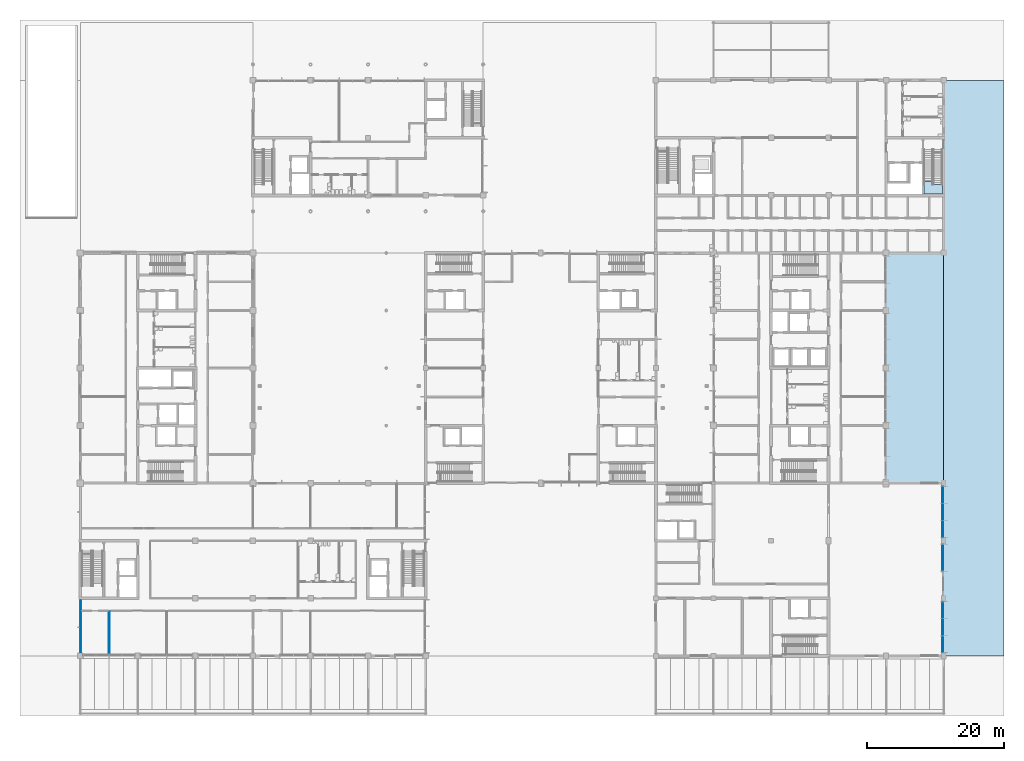
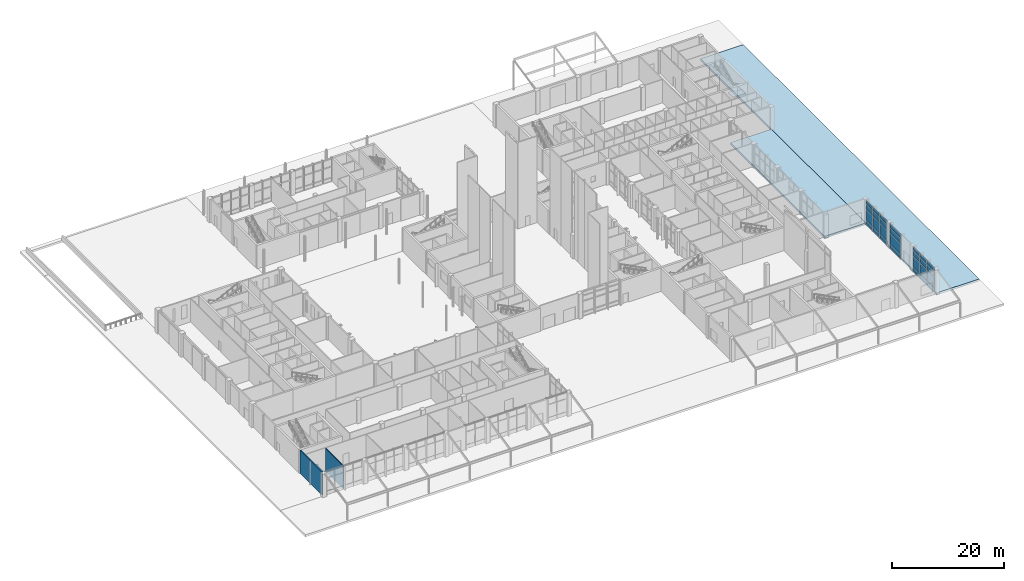
# One storey, part 31 of 76: 28 plates, 3 slabs, 2 walls, 4 elements without a shape of their own.
"""IFC4 building model written with IfcOpenShell, lengths in metres."""

from ifc_helpers import new_model, si_unit, direction, frame, frame_2d, origin, origin_2d, place, context, subcontext, project, spatial, polyline, rectangle, outline, extrude, material, layer, layer_set, type_object, element, aggregate, save


model = new_model("IFC4")

# Units and contexts
model_context = context("Model", 3, precision=1e-05, world=origin(), true_north=direction((0.0, 1.0)))
body_context = subcontext(model_context, "Body", "Model", "MODEL_VIEW")
ifc_project = project(units=[si_unit("LENGTHUNIT", "METRE"), si_unit("AREAUNIT", "SQUARE_METRE"), si_unit("VOLUMEUNIT", "CUBIC_METRE"), si_unit("PLANEANGLEUNIT", "RADIAN"), si_unit("MASSUNIT", "GRAM", prefix="KILO")], contexts=[model_context])

# Site, building, storey
site_placement = place(None, origin())
site = spatial("IfcSite", under=ifc_project, at=site_placement, CompositionType="ELEMENT")
building_placement = place(site_placement, origin())
building = spatial("IfcBuilding", under=site, at=building_placement, Name="Hlaing Beacon Police Headquarters", CompositionType="ELEMENT")
storey_placement = place(building_placement, origin())
storey = spatial("IfcBuildingStorey", under=building, at=storey_placement, Name="L00", CompositionType="ELEMENT", Elevation=0.0)

# Slabs
ifc_material_1 = material(Name="Concrete C50/60", Category="concrete")
ifc_layer_1 = layer(ifc_material_1, 0.449951171875)
ifc_layer_set_1 = layer_set([ifc_layer_1], Name="Concrete C50/60")
slab_type_1 = type_object("IfcSlabType", Name="Deck slab 450", PredefinedType="FLOOR", material=ifc_layer_set_1)
slab_1_placement = place(storey_placement, frame((0.0, 0.0, -0.449951171875)))
element("IfcSlab", 1, at=slab_1_placement, inside=storey, type_object=slab_type_1, Name="STR-SLAB-L00-09", PredefinedType="FLOOR", context=body_context, shape_type="SweptSolid", body=[
    extrude(outline(polyline([(126.0, 33.60009765625), (134.39990234375, 33.60009765625), (134.39990234375, 67.199951171875), (126.0, 67.199951171875), (126.0, 33.60009765625)])), origin(), (0.0, 0.0, 1.0), 0.449951171875),
])
slab_2_placement = place(storey_placement, frame((0.0, 0.0, -0.449951171875)))
element("IfcSlab", 2, at=slab_2_placement, inside=storey, type_object=slab_type_1, Name="STR-SLAB-L00-14", PredefinedType="FLOOR", context=body_context, shape_type="SweptSolid", body=[
    extrude(outline(polyline([(134.39990234375, 8.39990234375), (143.199951171875, 8.39990234375), (143.199951171875, 92.39990234375), (134.39990234375, 92.39990234375), (134.39990234375, 8.39990234375)])), origin(), (0.0, 0.0, 1.0), 0.449951171875),
])

# Curtain wall, plates
ifc_material_2 = material(Name="Aluminium frame with solar control glazing", Category="aluminium")
curtain_wall_type_1 = type_object("IfcCurtainWallType", Name="Structural glazed gable wall 7.50 x 5.40", PredefinedType="NOTDEFINED", material=ifc_material_2)
curtain_wall_1_placement = place(storey_placement, origin())
curtain_wall_1 = element("IfcCurtainWall", 3, at=curtain_wall_1_placement, inside=storey, type_object=curtain_wall_type_1, Name="ENV-CW-L00-E009", PredefinedType="NOTDEFINED")
ifc_material_3 = material(Name="Insulated aluminium spandrel", Category="aluminium")
ifc_layer_2 = layer(ifc_material_3, 0.10009765625)
ifc_layer_set_2 = layer_set([ifc_layer_2], Name="Insulated aluminium spandrel")
plate_type_1 = type_object("IfcPlateType", Name="Insulated spandrel panel 100", PredefinedType="CURTAIN_PANEL", material=ifc_layer_set_2)
plate_1_placement = place(storey_placement, frame((134.25, 10.125, 0.10009765625), z_axis=(0.0, 0.0, 1.0), x_axis=(0.0, 1.0, 0.0)))
plate_1 = element("IfcPlate", 4, at=plate_1_placement, type_object=plate_type_1, Name="CW-L00-E009 panel 1.1", PredefinedType="CURTAIN_PANEL", context=body_context, shape_type="SweptSolid", body=[
    extrude(rectangle(XDim=2.35009765625, YDim=0.10009765625, at=origin_2d()), origin(), (0.0, 0.0, 1.0), 0.75),
])
plate_2_placement = place(storey_placement, frame((134.25, 12.60009765625, 0.10009765625), z_axis=(0.0, 0.0, 1.0), x_axis=(0.0, 1.0, 0.0)))
plate_2 = element("IfcPlate", 5, at=plate_2_placement, type_object=plate_type_1, Name="CW-L00-E009 panel 2.1", PredefinedType="CURTAIN_PANEL", context=body_context, shape_type="SweptSolid", body=[
    extrude(rectangle(XDim=2.39990234375, YDim=0.10009765625, at=origin_2d()), origin(), (0.0, 0.0, 1.0), 0.75),
])
plate_3_placement = place(storey_placement, frame((134.25, 15.074951171875, 0.10009765625), z_axis=(0.0, 0.0, 1.0), x_axis=(0.0, 1.0, 0.0)))
plate_3 = element("IfcPlate", 6, at=plate_3_placement, type_object=plate_type_1, Name="CW-L00-E009 panel 3.1", PredefinedType="CURTAIN_PANEL", context=body_context, shape_type="SweptSolid", body=[
    extrude(rectangle(XDim=2.35009765625, YDim=0.10009765625, at=origin_2d()), origin(), (0.0, 0.0, 1.0), 0.75),
])

# Curtain wall, plate
ifc_material_4 = material(Name="Aluminium frame with solar control glazing", Category="aluminium")
curtain_wall_type_2 = type_object("IfcCurtainWallType", Name="Structural glazed gable wall 4.05 x 5.40", PredefinedType="NOTDEFINED", material=ifc_material_4)
curtain_wall_2_placement = place(storey_placement, origin())
curtain_wall_2 = element("IfcCurtainWall", 7, at=curtain_wall_2_placement, inside=storey, type_object=curtain_wall_type_2, Name="ENV-CW-L00-E010", PredefinedType="NOTDEFINED")
plate_4_placement = place(storey_placement, frame((134.25, 22.72509765625, 0.10009765625), z_axis=(0.0, 0.0, 1.0), x_axis=(0.0, 1.0, 0.0)))
plate_4 = element("IfcPlate", 8, at=plate_4_placement, type_object=plate_type_1, Name="CW-L00-E010 panel 1.1", PredefinedType="CURTAIN_PANEL", context=body_context, shape_type="SweptSolid", body=[
    extrude(rectangle(XDim=3.85009765625, YDim=0.10009765625, at=origin_2d()), origin(), (0.0, 0.0, 1.0), 0.75),
])

# Curtain wall, plates
curtain_wall_3_placement = place(storey_placement, origin())
curtain_wall_3 = element("IfcCurtainWall", 9, at=curtain_wall_3_placement, inside=storey, type_object=curtain_wall_type_1, Name="ENV-CW-L00-E011", PredefinedType="NOTDEFINED")
plate_5_placement = place(storey_placement, frame((134.25, 26.925048828125, 0.10009765625), z_axis=(0.0, 0.0, 1.0), x_axis=(0.0, 1.0, 0.0)))
plate_5 = element("IfcPlate", 10, at=plate_5_placement, type_object=plate_type_1, Name="CW-L00-E011 panel 1.1", PredefinedType="CURTAIN_PANEL", context=body_context, shape_type="SweptSolid", body=[
    extrude(rectangle(XDim=2.35009765625, YDim=0.10009765625, at=origin_2d()), origin(), (0.0, 0.0, 1.0), 0.75),
])
plate_6_placement = place(storey_placement, frame((134.25, 29.39990234375, 0.10009765625), z_axis=(0.0, 0.0, 1.0), x_axis=(0.0, 1.0, 0.0)))
plate_6 = element("IfcPlate", 11, at=plate_6_placement, type_object=plate_type_1, Name="CW-L00-E011 panel 2.1", PredefinedType="CURTAIN_PANEL", context=body_context, shape_type="SweptSolid", body=[
    extrude(rectangle(XDim=2.39990234375, YDim=0.10009765625, at=origin_2d()), origin(), (0.0, 0.0, 1.0), 0.75),
])
plate_7_placement = place(storey_placement, frame((134.25, 31.875, 0.10009765625), z_axis=(0.0, 0.0, 1.0), x_axis=(0.0, 1.0, 0.0)))
plate_7 = element("IfcPlate", 12, at=plate_7_placement, type_object=plate_type_1, Name="CW-L00-E011 panel 3.1", PredefinedType="CURTAIN_PANEL", context=body_context, shape_type="SweptSolid", body=[
    extrude(rectangle(XDim=2.35009765625, YDim=0.10009765625, at=origin_2d()), origin(), (0.0, 0.0, 1.0), 0.75),
])

# Plate
ifc_material_5 = material(Name="Laminated solar control glazing", Category="glass")
ifc_layer_3 = layer(ifc_material_5, 0.02392578125)
ifc_layer_set_3 = layer_set([ifc_layer_3], Name="Laminated solar control glazing")
plate_type_2 = type_object("IfcPlateType", Name="Laminated glazing panel 24", PredefinedType="CURTAIN_PANEL", material=ifc_layer_set_3)
plate_8_placement = place(storey_placement, frame((134.25, 10.125, 4.550048828125), z_axis=(0.0, 0.0, 1.0), x_axis=(0.0, 1.0, 0.0)))
plate_8 = element("IfcPlate", 13, at=plate_8_placement, type_object=plate_type_2, Name="CW-L00-E009 panel 1.4", PredefinedType="CURTAIN_PANEL", context=body_context, shape_type="SweptSolid", body=[
    extrude(rectangle(XDim=2.35009765625, YDim=0.02392578125, at=origin_2d()), origin(), (0.0, 0.0, 1.0), 0.75),
])

plate_9_placement = place(storey_placement, frame((134.25, 12.60009765625, 4.550048828125), z_axis=(0.0, 0.0, 1.0), x_axis=(0.0, 1.0, 0.0)))
plate_9 = element("IfcPlate", 14, at=plate_9_placement, type_object=plate_type_2, Name="CW-L00-E009 panel 2.4", PredefinedType="CURTAIN_PANEL", context=body_context, shape_type="SweptSolid", body=[
    extrude(rectangle(XDim=2.39990234375, YDim=0.02392578125, at=origin_2d()), origin(), (0.0, 0.0, 1.0), 0.75),
])

plate_10_placement = place(storey_placement, frame((134.25, 15.074951171875, 4.550048828125), z_axis=(0.0, 0.0, 1.0), x_axis=(0.0, 1.0, 0.0)))
plate_10 = element("IfcPlate", 15, at=plate_10_placement, type_object=plate_type_2, Name="CW-L00-E009 panel 3.4", PredefinedType="CURTAIN_PANEL", context=body_context, shape_type="SweptSolid", body=[
    extrude(rectangle(XDim=2.35009765625, YDim=0.02392578125, at=origin_2d()), origin(), (0.0, 0.0, 1.0), 0.75),
])

plate_11_placement = place(storey_placement, frame((134.25, 26.925048828125, 4.550048828125), z_axis=(0.0, 0.0, 1.0), x_axis=(0.0, 1.0, 0.0)))
plate_11 = element("IfcPlate", 16, at=plate_11_placement, type_object=plate_type_2, Name="CW-L00-E011 panel 1.4", PredefinedType="CURTAIN_PANEL", context=body_context, shape_type="SweptSolid", body=[
    extrude(rectangle(XDim=2.35009765625, YDim=0.02392578125, at=origin_2d()), origin(), (0.0, 0.0, 1.0), 0.75),
])

plate_12_placement = place(storey_placement, frame((134.25, 29.39990234375, 4.550048828125), z_axis=(0.0, 0.0, 1.0), x_axis=(0.0, 1.0, 0.0)))
plate_12 = element("IfcPlate", 17, at=plate_12_placement, type_object=plate_type_2, Name="CW-L00-E011 panel 2.4", PredefinedType="CURTAIN_PANEL", context=body_context, shape_type="SweptSolid", body=[
    extrude(rectangle(XDim=2.39990234375, YDim=0.02392578125, at=origin_2d()), origin(), (0.0, 0.0, 1.0), 0.75),
])

plate_13_placement = place(storey_placement, frame((134.25, 31.875, 4.550048828125), z_axis=(0.0, 0.0, 1.0), x_axis=(0.0, 1.0, 0.0)))
plate_13 = element("IfcPlate", 18, at=plate_13_placement, type_object=plate_type_2, Name="CW-L00-E011 panel 3.4", PredefinedType="CURTAIN_PANEL", context=body_context, shape_type="SweptSolid", body=[
    extrude(rectangle(XDim=2.35009765625, YDim=0.02392578125, at=origin_2d()), origin(), (0.0, 0.0, 1.0), 0.75),
])

ifc_material_6 = material(Name="Laminated solar control glazing", Category="glass")
ifc_layer_4 = layer(ifc_material_6, 0.031982421875)
ifc_layer_set_4 = layer_set([ifc_layer_4], Name="Laminated solar control glazing")
plate_type_3 = type_object("IfcPlateType", Name="Laminated glazing panel 32", PredefinedType="CURTAIN_PANEL", material=ifc_layer_set_4)
plate_14_placement = place(storey_placement, frame((134.25, 10.125, 3.349853515625), z_axis=(0.0, 0.0, 1.0), x_axis=(0.0, 1.0, 0.0)))
plate_14 = element("IfcPlate", 19, at=plate_14_placement, type_object=plate_type_3, Name="CW-L00-E009 panel 1.3", PredefinedType="CURTAIN_PANEL", context=body_context, shape_type="SweptSolid", body=[
    extrude(rectangle(XDim=2.35009765625, YDim=0.031982421875, at=origin_2d()), origin(), (0.0, 0.0, 1.0), 1.10009765625),
])

plate_15_placement = place(storey_placement, frame((134.25, 12.60009765625, 3.349853515625), z_axis=(0.0, 0.0, 1.0), x_axis=(0.0, 1.0, 0.0)))
plate_15 = element("IfcPlate", 20, at=plate_15_placement, type_object=plate_type_3, Name="CW-L00-E009 panel 2.3", PredefinedType="CURTAIN_PANEL", context=body_context, shape_type="SweptSolid", body=[
    extrude(rectangle(XDim=2.39990234375, YDim=0.031982421875, at=origin_2d()), origin(), (0.0, 0.0, 1.0), 1.10009765625),
])

plate_16_placement = place(storey_placement, frame((134.25, 15.074951171875, 3.349853515625), z_axis=(0.0, 0.0, 1.0), x_axis=(0.0, 1.0, 0.0)))
plate_16 = element("IfcPlate", 21, at=plate_16_placement, type_object=plate_type_3, Name="CW-L00-E009 panel 3.3", PredefinedType="CURTAIN_PANEL", context=body_context, shape_type="SweptSolid", body=[
    extrude(rectangle(XDim=2.35009765625, YDim=0.031982421875, at=origin_2d()), origin(), (0.0, 0.0, 1.0), 1.10009765625),
])

plate_17_placement = place(storey_placement, frame((134.25, 22.72509765625, 4.550048828125), z_axis=(0.0, 0.0, 1.0), x_axis=(0.0, 1.0, 0.0)))
plate_17 = element("IfcPlate", 22, at=plate_17_placement, type_object=plate_type_3, Name="CW-L00-E010 panel 1.4", PredefinedType="CURTAIN_PANEL", context=body_context, shape_type="SweptSolid", body=[
    extrude(rectangle(XDim=3.85009765625, YDim=0.031982421875, at=origin_2d()), origin(), (0.0, 0.0, 1.0), 0.75),
])

plate_18_placement = place(storey_placement, frame((134.25, 26.925048828125, 3.349853515625), z_axis=(0.0, 0.0, 1.0), x_axis=(0.0, 1.0, 0.0)))
plate_18 = element("IfcPlate", 23, at=plate_18_placement, type_object=plate_type_3, Name="CW-L00-E011 panel 1.3", PredefinedType="CURTAIN_PANEL", context=body_context, shape_type="SweptSolid", body=[
    extrude(rectangle(XDim=2.35009765625, YDim=0.031982421875, at=origin_2d()), origin(), (0.0, 0.0, 1.0), 1.10009765625),
])

plate_19_placement = place(storey_placement, frame((134.25, 29.39990234375, 3.349853515625), z_axis=(0.0, 0.0, 1.0), x_axis=(0.0, 1.0, 0.0)))
plate_19 = element("IfcPlate", 24, at=plate_19_placement, type_object=plate_type_3, Name="CW-L00-E011 panel 2.3", PredefinedType="CURTAIN_PANEL", context=body_context, shape_type="SweptSolid", body=[
    extrude(rectangle(XDim=2.39990234375, YDim=0.031982421875, at=origin_2d()), origin(), (0.0, 0.0, 1.0), 1.10009765625),
])

plate_20_placement = place(storey_placement, frame((134.25, 31.875, 3.349853515625), z_axis=(0.0, 0.0, 1.0), x_axis=(0.0, 1.0, 0.0)))
plate_20 = element("IfcPlate", 25, at=plate_20_placement, type_object=plate_type_3, Name="CW-L00-E011 panel 3.3", PredefinedType="CURTAIN_PANEL", context=body_context, shape_type="SweptSolid", body=[
    extrude(rectangle(XDim=2.35009765625, YDim=0.031982421875, at=origin_2d()), origin(), (0.0, 0.0, 1.0), 1.10009765625),
])

ifc_material_7 = material(Name="Laminated solar control glazing", Category="glass")
ifc_layer_5 = layer(ifc_material_7, 0.0439453125)
ifc_layer_set_5 = layer_set([ifc_layer_5], Name="Laminated solar control glazing")
plate_type_4 = type_object("IfcPlateType", Name="Laminated glazing panel 44", PredefinedType="CURTAIN_PANEL", material=ifc_layer_set_5)
plate_21_placement = place(storey_placement, frame((134.25, 10.125, 0.9501953125), z_axis=(0.0, 0.0, 1.0), x_axis=(0.0, 1.0, 0.0)))
plate_21 = element("IfcPlate", 26, at=plate_21_placement, type_object=plate_type_4, Name="CW-L00-E009 panel 1.2", PredefinedType="CURTAIN_PANEL", context=body_context, shape_type="SweptSolid", body=[
    extrude(rectangle(XDim=2.35009765625, YDim=0.0439453125, at=origin_2d()), origin(), (0.0, 0.0, 1.0), 2.300048828125),
])

plate_22_placement = place(storey_placement, frame((134.25, 12.60009765625, 0.9501953125), z_axis=(0.0, 0.0, 1.0), x_axis=(0.0, 1.0, 0.0)))
plate_22 = element("IfcPlate", 27, at=plate_22_placement, type_object=plate_type_4, Name="CW-L00-E009 panel 2.2", PredefinedType="CURTAIN_PANEL", context=body_context, shape_type="SweptSolid", body=[
    extrude(rectangle(XDim=2.39990234375, YDim=0.0439453125, at=origin_2d()), origin(), (0.0, 0.0, 1.0), 2.300048828125),
])

plate_23_placement = place(storey_placement, frame((134.25, 15.074951171875, 0.9501953125), z_axis=(0.0, 0.0, 1.0), x_axis=(0.0, 1.0, 0.0)))
plate_23 = element("IfcPlate", 28, at=plate_23_placement, type_object=plate_type_4, Name="CW-L00-E009 panel 3.2", PredefinedType="CURTAIN_PANEL", context=body_context, shape_type="SweptSolid", body=[
    extrude(rectangle(XDim=2.35009765625, YDim=0.0439453125, at=origin_2d()), origin(), (0.0, 0.0, 1.0), 2.300048828125),
])

aggregate(curtain_wall_1, [plate_1, plate_21, plate_14, plate_8, plate_2, plate_22, plate_15, plate_9, plate_3, plate_23, plate_16, plate_10])

plate_24_placement = place(storey_placement, frame((134.25, 22.72509765625, 3.349853515625), z_axis=(0.0, 0.0, 1.0), x_axis=(0.0, 1.0, 0.0)))
plate_24 = element("IfcPlate", 29, at=plate_24_placement, type_object=plate_type_4, Name="CW-L00-E010 panel 1.3", PredefinedType="CURTAIN_PANEL", context=body_context, shape_type="SweptSolid", body=[
    extrude(rectangle(XDim=3.85009765625, YDim=0.0439453125, at=origin_2d()), origin(), (0.0, 0.0, 1.0), 1.10009765625),
])

plate_25_placement = place(storey_placement, frame((134.25, 26.925048828125, 0.9501953125), z_axis=(0.0, 0.0, 1.0), x_axis=(0.0, 1.0, 0.0)))
plate_25 = element("IfcPlate", 30, at=plate_25_placement, type_object=plate_type_4, Name="CW-L00-E011 panel 1.2", PredefinedType="CURTAIN_PANEL", context=body_context, shape_type="SweptSolid", body=[
    extrude(rectangle(XDim=2.35009765625, YDim=0.0439453125, at=origin_2d()), origin(), (0.0, 0.0, 1.0), 2.300048828125),
])

plate_26_placement = place(storey_placement, frame((134.25, 29.39990234375, 0.9501953125), z_axis=(0.0, 0.0, 1.0), x_axis=(0.0, 1.0, 0.0)))
plate_26 = element("IfcPlate", 31, at=plate_26_placement, type_object=plate_type_4, Name="CW-L00-E011 panel 2.2", PredefinedType="CURTAIN_PANEL", context=body_context, shape_type="SweptSolid", body=[
    extrude(rectangle(XDim=2.39990234375, YDim=0.0439453125, at=origin_2d()), origin(), (0.0, 0.0, 1.0), 2.300048828125),
])

plate_27_placement = place(storey_placement, frame((134.25, 31.875, 0.9501953125), z_axis=(0.0, 0.0, 1.0), x_axis=(0.0, 1.0, 0.0)))
plate_27 = element("IfcPlate", 32, at=plate_27_placement, type_object=plate_type_4, Name="CW-L00-E011 panel 3.2", PredefinedType="CURTAIN_PANEL", context=body_context, shape_type="SweptSolid", body=[
    extrude(rectangle(XDim=2.35009765625, YDim=0.0439453125, at=origin_2d()), origin(), (0.0, 0.0, 1.0), 2.300048828125),
])

aggregate(curtain_wall_3, [plate_5, plate_25, plate_18, plate_11, plate_6, plate_26, plate_19, plate_12, plate_7, plate_27, plate_20, plate_13])

ifc_material_8 = material(Name="Laminated solar control glazing", Category="glass")
ifc_layer_6 = layer(ifc_material_8, 0.06591796875)
ifc_layer_set_6 = layer_set([ifc_layer_6], Name="Laminated solar control glazing")
plate_type_5 = type_object("IfcPlateType", Name="Laminated glazing panel 66", PredefinedType="CURTAIN_PANEL", material=ifc_layer_set_6)
plate_28_placement = place(storey_placement, frame((134.25, 22.72509765625, 0.9501953125), z_axis=(0.0, 0.0, 1.0), x_axis=(0.0, 1.0, 0.0)))
plate_28 = element("IfcPlate", 33, at=plate_28_placement, type_object=plate_type_5, Name="CW-L00-E010 panel 1.2", PredefinedType="CURTAIN_PANEL", context=body_context, shape_type="SweptSolid", body=[
    extrude(rectangle(XDim=3.85009765625, YDim=0.06591796875, at=origin_2d()), origin(), (0.0, 0.0, 1.0), 2.300048828125),
])

aggregate(curtain_wall_2, [plate_4, plate_28, plate_24, plate_17])

# Stair, slab
ifc_material_9 = material(Name="Concrete C40/50", Category="concrete")
stair_type = type_object("IfcStairType", Name="Half-turn stair 1300 wide, 5400 rise", PredefinedType="HALF_TURN_STAIR", material=ifc_material_9)
stair_placement = place(storey_placement, origin())
stair = element("IfcStair", 34, at=stair_placement, inside=storey, type_object=stair_type, Name="Stair ST-R", PredefinedType="HALF_TURN_STAIR")
ifc_material_10 = material(Name="Concrete C40/50", Category="concrete")
ifc_layer_7 = layer(ifc_material_10, 0.219970703125)
ifc_layer_set_7 = layer_set([ifc_layer_7], Name="Concrete C40/50")
slab_type_2 = type_object("IfcSlabType", Name="Stair landing 220", PredefinedType="LANDING", material=ifc_layer_set_7)
slab_3_placement = place(storey_placement, frame((0.0, 0.0, 2.47998046875)))
slab_3 = element("IfcSlab", 35, at=slab_3_placement, type_object=slab_type_2, Name="ST-R landing 1", PredefinedType="LANDING", context=body_context, shape_type="SweptSolid", body=[
    extrude(outline(polyline([(134.199951171875, 77.2099609375), (134.199951171875, 75.800048828125), (131.5, 75.800048828125), (131.5, 77.60009765625), (132.800048828125, 77.60009765625), (132.800048828125, 77.2099609375), (134.199951171875, 77.2099609375)])), origin(), (0.0, 0.0, 1.0), 0.219970703125),
])
aggregate(stair, [slab_3])

# Walls
ifc_material_11 = material(Name="Gypsum board partition")
ifc_layer_8 = layer(ifc_material_11, 0.125)
ifc_layer_set_8 = layer_set([ifc_layer_8], Name="Gypsum board partition")
wall_type_1 = type_object("IfcWallType", Name="Partition 125", PredefinedType="PARTITIONING", material=ifc_layer_set_8)
wall_1_placement = place(storey_placement, frame((12.60009765625, 8.550048828125, 0.0), z_axis=(0.0, 0.0, 1.0), x_axis=(0.0, 1.0, 0.0)))
element("IfcWall", 36, at=wall_1_placement, inside=storey, type_object=wall_type_1, Name="Partition 125", PredefinedType="PARTITIONING", context=body_context, shape_type="SweptSolid", body=[
    extrude(rectangle(XDim=6.375, YDim=0.125, at=frame_2d((3.1875, 0.0))), origin(), (0.0, 0.0, 1.0), 5.050048828125),
])
ifc_material_12 = material(Name="Concrete C40/50 precast ribbed cladding", Category="concrete")
ifc_layer_9 = layer(ifc_material_12, 0.25)
ifc_layer_set_9 = layer_set([ifc_layer_9], Name="Concrete C40/50 precast ribbed cladding")
wall_type_2 = type_object("IfcWallType", Name="Precast ribbed wall 250", PredefinedType="SOLIDWALL", material=ifc_layer_set_9)
wall_2_placement = place(storey_placement, frame((8.425048828125, 16.60009765625, 0.0), z_axis=(0.0, 0.0, 1.0), x_axis=(0.0, -1.0, 0.0)))
element("IfcWall", 37, at=wall_2_placement, inside=storey, type_object=wall_type_2, Name="External wall L00 W015", PredefinedType="SOLIDWALL", context=body_context, shape_type="SweptSolid", body=[
    extrude(rectangle(XDim=7.820068359375, YDim=0.25, at=frame_2d((3.91015625, 0.0))), origin(), (0.0, 0.0, 1.0), 5.050048828125),
])

save(model, "model.ifc")
